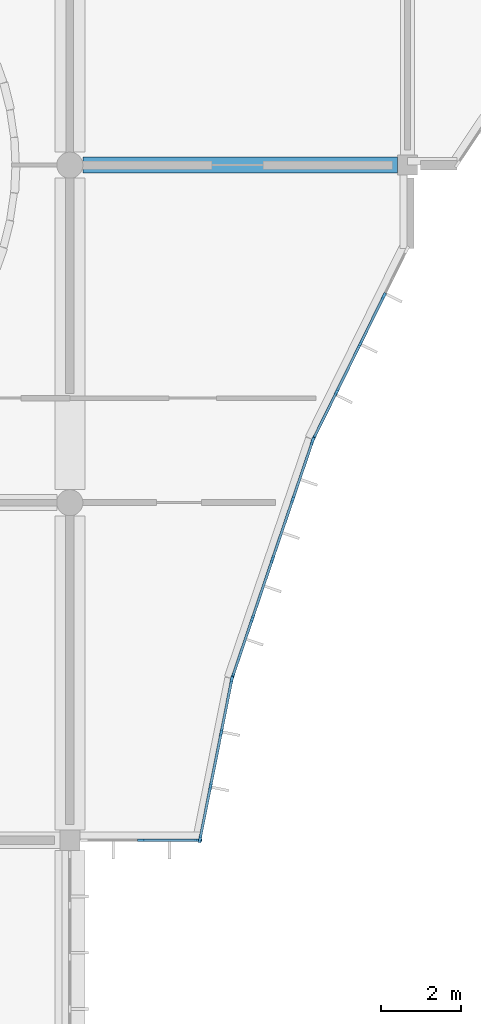
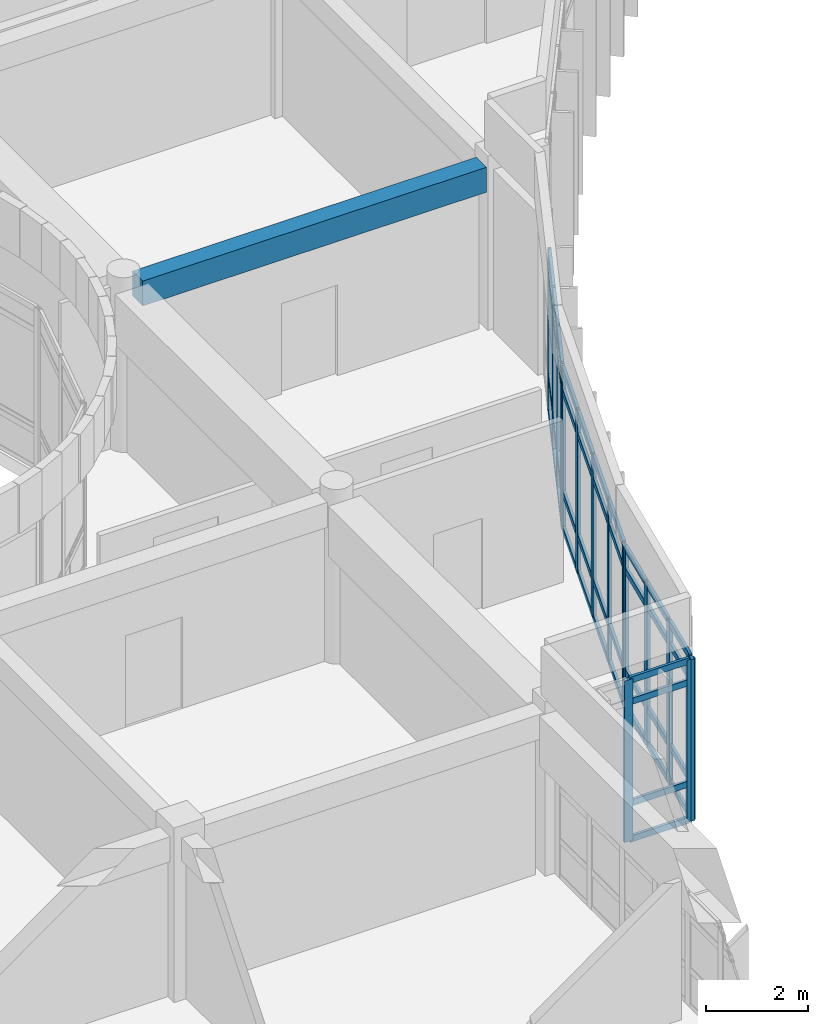
# One storey, part 48 of 119: 59 members, 1 beam, 4 elements without a shape of their own.
"""IFC4 building model written with IfcOpenShell, lengths in metres."""

from ifc_helpers import new_model, si_unit, direction, frame, origin, origin_2d, place, context, subcontext, project, spatial, rectangle, extrude, material, layer, layer_set, material_profile, profile_set, type_object, element, aggregate, save


model = new_model("IFC4")

# Units and contexts
model_context = context("Model", 3, precision=1e-05, world=origin(), true_north=direction((0.0, 1.0)))
body_context = subcontext(model_context, "Body", "Model", "MODEL_VIEW")
ifc_project = project(units=[si_unit("LENGTHUNIT", "METRE"), si_unit("AREAUNIT", "SQUARE_METRE"), si_unit("VOLUMEUNIT", "CUBIC_METRE"), si_unit("PLANEANGLEUNIT", "RADIAN"), si_unit("MASSUNIT", "GRAM", prefix="KILO")], contexts=[model_context])

# Site, building, storey
site_placement = place(None, origin())
site = spatial("IfcSite", under=ifc_project, at=site_placement, CompositionType="ELEMENT")
building_placement = place(site_placement, origin())
building = spatial("IfcBuilding", under=site, at=building_placement, Name="Bramfleet General Hospital", CompositionType="ELEMENT")
storey_placement = place(building_placement, frame((0.0, 0.0, 14.39990234375)))
storey = spatial("IfcBuildingStorey", under=building, at=storey_placement, Name="L03", CompositionType="ELEMENT", Elevation=14.39990234375)

# Beam
ifc_material_1 = material(Name="Concrete C35/45", Category="concrete")
ifc_material_profile_1 = material_profile(ifc_material_1, rectangle(XDim=0.39990234375, YDim=0.60009765625, at=origin_2d()), Name="RC BM 600x400")
ifc_profile_set_1 = profile_set([ifc_material_profile_1], Name="Concrete C35/45")
beam_type = type_object("IfcBeamType", Name="BM-RC600", PredefinedType="BEAM", material=ifc_profile_set_1)
beam_placement = place(storey_placement, frame((126.324951171875, 67.199951171875, 3.60009765625), z_axis=(1.0, 0.0, 0.0), x_axis=(0.0, 1.0, 0.0)))
element("IfcBeam", 1, at=beam_placement, inside=storey, type_object=beam_type, Name="L03 Grid Beam X 15-08", PredefinedType="BEAM", context=body_context, shape_type="SweptSolid", body=[
    extrude(rectangle(XDim=0.39990234375, YDim=0.60009765625, at=origin_2d()), origin(), (0.0, 0.0, 1.0), 7.824951171875),
])

# Curtain wall, members
ifc_material_2 = material(Name="Anodised aluminium and low-E triple glazing", Category="aluminium")
ifc_layer_1 = layer(ifc_material_2, 0.179931640625, Name="CWT-CW-14")
ifc_layer_set_1 = layer_set([ifc_layer_1], Name="Anodised aluminium and low-E triple glazing")
curtain_wall_type_1 = type_object("IfcCurtainWallType", Name="CWT-CW-14", PredefinedType="USERDEFINED", material=ifc_layer_set_1)
curtain_wall_1_placement = place(storey_placement, origin())
curtain_wall_1 = element("IfcCurtainWall", 2, at=curtain_wall_1_placement, inside=storey, type_object=curtain_wall_type_1, Name="L03 Curtain Wall 158", ObjectType="Stick curtain wall", PredefinedType="USERDEFINED")
ifc_material_3 = material(Name="Structural timber GL28h", Category="wood")
ifc_material_profile_2 = material_profile(ifc_material_3, rectangle(XDim=0.070068359375, YDim=0.18994140625, at=origin_2d()), Name="LARCH 190x70")
ifc_profile_set_2 = profile_set([ifc_material_profile_2], Name="Structural timber GL28h")
member_type_1 = type_object("IfcMemberType", Name="CWM-LARCH450", PredefinedType="MULLION", material=ifc_profile_set_2)
member_1_placement = place(storey_placement, frame((133.8134765625, 63.936767578125, 0.0), z_axis=(0.0, 0.0, 1.0), x_axis=(0.896864723513, -0.442304948782, 0.0)))
member_1 = element("IfcMember", 3, at=member_1_placement, type_object=member_type_1, Name="CW-14 mullion 2", PredefinedType="MULLION", context=body_context, shape_type="SweptSolid", body=[
    extrude(rectangle(XDim=0.070068359375, YDim=0.18994140625, at=origin_2d()), origin(), (0.0, 0.0, 1.0), 3.89013671875),
])
member_2_placement = place(storey_placement, frame((133.22705078125, 62.74755859375, 0.0), z_axis=(0.0, 0.0, 1.0), x_axis=(0.896864723513, -0.442304948782, 0.0)))
member_2 = element("IfcMember", 4, at=member_2_placement, type_object=member_type_1, Name="CW-14 mullion 3", PredefinedType="MULLION", context=body_context, shape_type="SweptSolid", body=[
    extrude(rectangle(XDim=0.070068359375, YDim=0.18994140625, at=origin_2d()), origin(), (0.0, 0.0, 1.0), 3.89013671875),
])
member_3_placement = place(storey_placement, frame((132.640380859375, 61.558349609375, 0.0), z_axis=(0.0, 0.0, 1.0), x_axis=(0.896864723513, -0.442304948782, 0.0)))
member_3 = element("IfcMember", 5, at=member_3_placement, type_object=member_type_1, Name="CW-14 mullion 4", PredefinedType="MULLION", context=body_context, shape_type="SweptSolid", body=[
    extrude(rectangle(XDim=0.070068359375, YDim=0.18994140625, at=origin_2d()), origin(), (0.0, 0.0, 1.0), 3.89013671875),
])
member_4_placement = place(storey_placement, frame((132.069580078125, 60.400390625, 0.0), z_axis=(0.0, 0.0, 1.0), x_axis=(0.896864723513, -0.442304948782, 0.0)))
member_4 = element("IfcMember", 6, at=member_4_placement, type_object=member_type_1, Name="CW-14 mullion 5", PredefinedType="MULLION", context=body_context, shape_type="SweptSolid", body=[
    extrude(rectangle(XDim=0.070068359375, YDim=0.18994140625, at=origin_2d()), origin(), (0.0, 0.0, 1.0), 3.89013671875),
])

ifc_layer_2 = layer(ifc_material_2, 0.179931640625, Name="CWT-CW-15")
ifc_layer_set_2 = layer_set([ifc_layer_2], Name="Anodised aluminium and low-E triple glazing")
curtain_wall_type_2 = type_object("IfcCurtainWallType", Name="CWT-CW-15", PredefinedType="USERDEFINED", material=ifc_layer_set_2)
curtain_wall_2_placement = place(storey_placement, origin())
curtain_wall_2 = element("IfcCurtainWall", 7, at=curtain_wall_2_placement, inside=storey, type_object=curtain_wall_type_2, Name="L03 Curtain Wall 159", ObjectType="Stick curtain wall", PredefinedType="USERDEFINED")
member_5_placement = place(storey_placement, frame((132.042724609375, 60.3359375, 0.0), z_axis=(0.0, 0.0, 1.0), x_axis=(0.946949276617, -0.321383054181, 0.0)))
member_5 = element("IfcMember", 8, at=member_5_placement, type_object=member_type_1, Name="CW-15 mullion 1", PredefinedType="MULLION", context=body_context, shape_type="SweptSolid", body=[
    extrude(rectangle(XDim=0.070068359375, YDim=0.18994140625, at=origin_2d()), origin(), (0.0, 0.0, 1.0), 3.89013671875),
])
member_6_placement = place(storey_placement, frame((131.549560546875, 58.882568359375, 0.0), z_axis=(0.0, 0.0, 1.0), x_axis=(0.946949276617, -0.321383054181, 0.0)))
member_6 = element("IfcMember", 9, at=member_6_placement, type_object=member_type_1, Name="CW-15 mullion 2", PredefinedType="MULLION", context=body_context, shape_type="SweptSolid", body=[
    extrude(rectangle(XDim=0.070068359375, YDim=0.18994140625, at=origin_2d()), origin(), (0.0, 0.0, 1.0), 3.89013671875),
])
member_7_placement = place(storey_placement, frame((131.044921875, 57.39599609375, 0.0), z_axis=(0.0, 0.0, 1.0), x_axis=(0.946949276617, -0.321383054181, 0.0)))
member_7 = element("IfcMember", 10, at=member_7_placement, type_object=member_type_1, Name="CW-15 mullion 3", PredefinedType="MULLION", context=body_context, shape_type="SweptSolid", body=[
    extrude(rectangle(XDim=0.070068359375, YDim=0.18994140625, at=origin_2d()), origin(), (0.0, 0.0, 1.0), 3.89013671875),
])
member_8_placement = place(storey_placement, frame((130.54052734375, 55.909423828125, 0.0), z_axis=(0.0, 0.0, 1.0), x_axis=(0.946949276617, -0.321383054181, 0.0)))
member_8 = element("IfcMember", 11, at=member_8_placement, type_object=member_type_1, Name="CW-15 mullion 4", PredefinedType="MULLION", context=body_context, shape_type="SweptSolid", body=[
    extrude(rectangle(XDim=0.070068359375, YDim=0.18994140625, at=origin_2d()), origin(), (0.0, 0.0, 1.0), 3.89013671875),
])
member_9_placement = place(storey_placement, frame((130.04736328125, 54.4560546875, 0.0), z_axis=(0.0, 0.0, 1.0), x_axis=(0.946949276617, -0.321383054181, 0.0)))
member_9 = element("IfcMember", 12, at=member_9_placement, type_object=member_type_1, Name="CW-15 mullion 5", PredefinedType="MULLION", context=body_context, shape_type="SweptSolid", body=[
    extrude(rectangle(XDim=0.070068359375, YDim=0.18994140625, at=origin_2d()), origin(), (0.0, 0.0, 1.0), 3.89013671875),
])

ifc_layer_3 = layer(ifc_material_2, 0.179931640625, Name="CWT-CW-16")
ifc_layer_set_3 = layer_set([ifc_layer_3], Name="Anodised aluminium and low-E triple glazing")
curtain_wall_type_3 = type_object("IfcCurtainWallType", Name="CWT-CW-16", PredefinedType="USERDEFINED", material=ifc_layer_set_3)
curtain_wall_3_placement = place(storey_placement, origin())
curtain_wall_3 = element("IfcCurtainWall", 13, at=curtain_wall_3_placement, inside=storey, type_object=curtain_wall_type_3, Name="L03 Curtain Wall 160", ObjectType="Stick curtain wall", PredefinedType="USERDEFINED")
member_10_placement = place(storey_placement, frame((130.029052734375, 54.388671875, 0.0), z_axis=(0.0, 0.0, 1.0), x_axis=(0.980749087161, -0.195272189606, 0.0)))
member_10 = element("IfcMember", 14, at=member_10_placement, type_object=member_type_1, Name="CW-16 mullion 1", PredefinedType="MULLION", context=body_context, shape_type="SweptSolid", body=[
    extrude(rectangle(XDim=0.070068359375, YDim=0.18994140625, at=origin_2d()), origin(), (0.0, 0.0, 1.0), 3.89013671875),
])
member_11_placement = place(storey_placement, frame((129.76904296875, 53.08203125, 0.0), z_axis=(0.0, 0.0, 1.0), x_axis=(0.980749087161, -0.195272189606, 0.0)))
member_11 = element("IfcMember", 15, at=member_11_placement, type_object=member_type_1, Name="CW-16 mullion 2", PredefinedType="MULLION", context=body_context, shape_type="SweptSolid", body=[
    extrude(rectangle(XDim=0.070068359375, YDim=0.18994140625, at=origin_2d()), origin(), (0.0, 0.0, 1.0), 3.89013671875),
])
member_12_placement = place(storey_placement, frame((129.501953125, 51.740966796875, 0.0), z_axis=(0.0, 0.0, 1.0), x_axis=(0.980749087161, -0.195272189606, 0.0)))
member_12 = element("IfcMember", 16, at=member_12_placement, type_object=member_type_1, Name="CW-16 mullion 3", PredefinedType="MULLION", context=body_context, shape_type="SweptSolid", body=[
    extrude(rectangle(XDim=0.070068359375, YDim=0.18994140625, at=origin_2d()), origin(), (0.0, 0.0, 1.0), 3.89013671875),
])
member_13_placement = place(storey_placement, frame((129.241943359375, 50.434326171875, 0.0), z_axis=(0.0, 0.0, 1.0), x_axis=(0.980749087161, -0.195272189606, 0.0)))
member_13 = element("IfcMember", 17, at=member_13_placement, type_object=member_type_1, Name="CW-16 mullion 4", PredefinedType="MULLION", context=body_context, shape_type="SweptSolid", body=[
    extrude(rectangle(XDim=0.070068359375, YDim=0.18994140625, at=origin_2d()), origin(), (0.0, 0.0, 1.0), 3.89013671875),
])

ifc_layer_4 = layer(ifc_material_2, 0.179931640625, Name="CWT-CW-17")
ifc_layer_set_4 = layer_set([ifc_layer_4], Name="Anodised aluminium and low-E triple glazing")
curtain_wall_type_4 = type_object("IfcCurtainWallType", Name="CWT-CW-17", PredefinedType="USERDEFINED", material=ifc_layer_set_4)
curtain_wall_4_placement = place(storey_placement, origin())
curtain_wall_4 = element("IfcCurtainWall", 18, at=curtain_wall_4_placement, inside=storey, type_object=curtain_wall_type_4, Name="L03 Curtain Wall 161", ObjectType="Stick curtain wall", PredefinedType="USERDEFINED")
member_14_placement = place(storey_placement, frame((129.199951171875, 50.39990234375, 0.0), z_axis=(0.0, 0.0, 1.0), x_axis=(0.0, -1.0, 0.0)))
member_14 = element("IfcMember", 19, at=member_14_placement, type_object=member_type_1, Name="CW-17 mullion 1", PredefinedType="MULLION", context=body_context, shape_type="SweptSolid", body=[
    extrude(rectangle(XDim=0.070068359375, YDim=0.18994140625, at=origin_2d()), origin(), (0.0, 0.0, 1.0), 3.89013671875),
])
member_15_placement = place(storey_placement, frame((127.780029296875, 50.39990234375, 0.0), z_axis=(0.0, 0.0, 1.0), x_axis=(0.0, -1.0, 0.0)))
member_15 = element("IfcMember", 20, at=member_15_placement, type_object=member_type_1, Name="CW-17 mullion 2", PredefinedType="MULLION", context=body_context, shape_type="SweptSolid", body=[
    extrude(rectangle(XDim=0.070068359375, YDim=0.18994140625, at=origin_2d()), origin(), (0.0, 0.0, 1.0), 3.89013671875),
])

# Member
ifc_material_profile_3 = material_profile(ifc_material_3, rectangle(XDim=0.06494140625, YDim=0.14990234375, at=origin_2d()), Name="LARCH 150x65")
ifc_profile_set_3 = profile_set([ifc_material_profile_3], Name="Structural timber GL28h")
member_type_2 = type_object("IfcMemberType", Name="CWT-LARCH220", PredefinedType="USERDEFINED", material=ifc_profile_set_3)
member_16_placement = place(storey_placement, frame((133.798095703125, 63.9052734375, 0.03271484375), z_axis=(-0.44238671825, -0.896824392797, 0.0), x_axis=(0.896824392797, -0.44238671825, 0.0)))
member_16 = element("IfcMember", 21, at=member_16_placement, type_object=member_type_2, Name="CW-14 transom 2.1", ObjectType="TRANSOM", PredefinedType="USERDEFINED", context=body_context, shape_type="SweptSolid", body=[
    extrude(rectangle(XDim=0.06494140625, YDim=0.14990234375, at=origin_2d()), origin(), (0.0, 0.0, 1.0), 1.256103515625),
])

member_17_placement = place(storey_placement, frame((133.798095703125, 63.9052734375, 0.900146484375), z_axis=(-0.44238671825, -0.896824392797, 0.0), x_axis=(0.896824392797, -0.44238671825, 0.0)))
member_17 = element("IfcMember", 22, at=member_17_placement, type_object=member_type_2, Name="CW-14 transom 2.2", ObjectType="TRANSOM", PredefinedType="USERDEFINED", context=body_context, shape_type="SweptSolid", body=[
    extrude(rectangle(XDim=0.06494140625, YDim=0.14990234375, at=origin_2d()), origin(), (0.0, 0.0, 1.0), 1.256103515625),
])

member_18_placement = place(storey_placement, frame((133.798095703125, 63.9052734375, 3.340087890625), z_axis=(-0.44238671825, -0.896824392797, 0.0), x_axis=(0.896824392797, -0.44238671825, 0.0)))
member_18 = element("IfcMember", 23, at=member_18_placement, type_object=member_type_2, Name="CW-14 transom 2.3", ObjectType="TRANSOM", PredefinedType="USERDEFINED", context=body_context, shape_type="SweptSolid", body=[
    extrude(rectangle(XDim=0.06494140625, YDim=0.14990234375, at=origin_2d()), origin(), (0.0, 0.0, 1.0), 1.256103515625),
])

member_19_placement = place(storey_placement, frame((133.798095703125, 63.9052734375, 3.857666015625), z_axis=(-0.44238671825, -0.896824392797, 0.0), x_axis=(0.896824392797, -0.44238671825, 0.0)))
member_19 = element("IfcMember", 24, at=member_19_placement, type_object=member_type_2, Name="CW-14 transom 2.4", ObjectType="TRANSOM", PredefinedType="USERDEFINED", context=body_context, shape_type="SweptSolid", body=[
    extrude(rectangle(XDim=0.06494140625, YDim=0.14990234375, at=origin_2d()), origin(), (0.0, 0.0, 1.0), 1.256103515625),
])

member_20_placement = place(storey_placement, frame((133.21142578125, 62.716064453125, 0.03271484375), z_axis=(-0.442230367252, -0.89690150088, 0.0), x_axis=(0.89690150088, -0.442230367252, 0.0)))
member_20 = element("IfcMember", 25, at=member_20_placement, type_object=member_type_2, Name="CW-14 transom 3.1", ObjectType="TRANSOM", PredefinedType="USERDEFINED", context=body_context, shape_type="SweptSolid", body=[
    extrude(rectangle(XDim=0.06494140625, YDim=0.14990234375, at=origin_2d()), origin(), (0.0, 0.0, 1.0), 1.255859375),
])

member_21_placement = place(storey_placement, frame((133.21142578125, 62.716064453125, 0.900146484375), z_axis=(-0.442230367252, -0.89690150088, 0.0), x_axis=(0.89690150088, -0.442230367252, 0.0)))
member_21 = element("IfcMember", 26, at=member_21_placement, type_object=member_type_2, Name="CW-14 transom 3.2", ObjectType="TRANSOM", PredefinedType="USERDEFINED", context=body_context, shape_type="SweptSolid", body=[
    extrude(rectangle(XDim=0.06494140625, YDim=0.14990234375, at=origin_2d()), origin(), (0.0, 0.0, 1.0), 1.255859375),
])

member_22_placement = place(storey_placement, frame((133.21142578125, 62.716064453125, 3.340087890625), z_axis=(-0.442230367252, -0.89690150088, 0.0), x_axis=(0.89690150088, -0.442230367252, 0.0)))
member_22 = element("IfcMember", 27, at=member_22_placement, type_object=member_type_2, Name="CW-14 transom 3.3", ObjectType="TRANSOM", PredefinedType="USERDEFINED", context=body_context, shape_type="SweptSolid", body=[
    extrude(rectangle(XDim=0.06494140625, YDim=0.14990234375, at=origin_2d()), origin(), (0.0, 0.0, 1.0), 1.255859375),
])

member_23_placement = place(storey_placement, frame((133.21142578125, 62.716064453125, 3.857666015625), z_axis=(-0.442230367252, -0.89690150088, 0.0), x_axis=(0.89690150088, -0.442230367252, 0.0)))
member_23 = element("IfcMember", 28, at=member_23_placement, type_object=member_type_2, Name="CW-14 transom 3.4", ObjectType="TRANSOM", PredefinedType="USERDEFINED", context=body_context, shape_type="SweptSolid", body=[
    extrude(rectangle(XDim=0.06494140625, YDim=0.14990234375, at=origin_2d()), origin(), (0.0, 0.0, 1.0), 1.255859375),
])

member_24_placement = place(storey_placement, frame((132.625, 61.52685546875, 0.03271484375), z_axis=(-0.442327738397, -0.896853484046, 0.0), x_axis=(0.896853484046, -0.442327738397, 0.0)))
member_24 = element("IfcMember", 29, at=member_24_placement, type_object=member_type_2, Name="CW-14 transom 4.1", ObjectType="TRANSOM", PredefinedType="USERDEFINED", context=body_context, shape_type="SweptSolid", body=[
    extrude(rectangle(XDim=0.06494140625, YDim=0.14990234375, at=origin_2d()), origin(), (0.0, 0.0, 1.0), 1.220947265625),
])

member_25_placement = place(storey_placement, frame((132.625, 61.52685546875, 0.900146484375), z_axis=(-0.442327738397, -0.896853484046, 0.0), x_axis=(0.896853484046, -0.442327738397, 0.0)))
member_25 = element("IfcMember", 30, at=member_25_placement, type_object=member_type_2, Name="CW-14 transom 4.2", ObjectType="TRANSOM", PredefinedType="USERDEFINED", context=body_context, shape_type="SweptSolid", body=[
    extrude(rectangle(XDim=0.06494140625, YDim=0.14990234375, at=origin_2d()), origin(), (0.0, 0.0, 1.0), 1.220947265625),
])

member_26_placement = place(storey_placement, frame((132.625, 61.52685546875, 3.340087890625), z_axis=(-0.442327738397, -0.896853484046, 0.0), x_axis=(0.896853484046, -0.442327738397, 0.0)))
member_26 = element("IfcMember", 31, at=member_26_placement, type_object=member_type_2, Name="CW-14 transom 4.3", ObjectType="TRANSOM", PredefinedType="USERDEFINED", context=body_context, shape_type="SweptSolid", body=[
    extrude(rectangle(XDim=0.06494140625, YDim=0.14990234375, at=origin_2d()), origin(), (0.0, 0.0, 1.0), 1.220947265625),
])

member_27_placement = place(storey_placement, frame((132.625, 61.52685546875, 3.857666015625), z_axis=(-0.442327738397, -0.896853484046, 0.0), x_axis=(0.896853484046, -0.442327738397, 0.0)))
member_27 = element("IfcMember", 32, at=member_27_placement, type_object=member_type_2, Name="CW-14 transom 4.4", ObjectType="TRANSOM", PredefinedType="USERDEFINED", context=body_context, shape_type="SweptSolid", body=[
    extrude(rectangle(XDim=0.06494140625, YDim=0.14990234375, at=origin_2d()), origin(), (0.0, 0.0, 1.0), 1.220947265625),
])

aggregate(curtain_wall_1, [member_1, member_2, member_3, member_4, member_16, member_17, member_18, member_19, member_20, member_21, member_22, member_23, member_24, member_25, member_26, member_27])

member_28_placement = place(storey_placement, frame((132.031494140625, 60.302734375, 0.03271484375), z_axis=(-0.32132303331, -0.946969644848, 0.0), x_axis=(0.946969644848, -0.32132303331, 0.0)))
member_28 = element("IfcMember", 33, at=member_28_placement, type_object=member_type_2, Name="CW-15 transom 1.1", ObjectType="TRANSOM", PredefinedType="USERDEFINED", context=body_context, shape_type="SweptSolid", body=[
    extrude(rectangle(XDim=0.06494140625, YDim=0.14990234375, at=origin_2d()), origin(), (0.0, 0.0, 1.0), 1.46484375),
])

member_29_placement = place(storey_placement, frame((132.031494140625, 60.302734375, 0.900146484375), z_axis=(-0.32132303331, -0.946969644848, 0.0), x_axis=(0.946969644848, -0.32132303331, 0.0)))
member_29 = element("IfcMember", 34, at=member_29_placement, type_object=member_type_2, Name="CW-15 transom 1.2", ObjectType="TRANSOM", PredefinedType="USERDEFINED", context=body_context, shape_type="SweptSolid", body=[
    extrude(rectangle(XDim=0.06494140625, YDim=0.14990234375, at=origin_2d()), origin(), (0.0, 0.0, 1.0), 1.46484375),
])

member_30_placement = place(storey_placement, frame((132.031494140625, 60.302734375, 3.340087890625), z_axis=(-0.32132303331, -0.946969644848, 0.0), x_axis=(0.946969644848, -0.32132303331, 0.0)))
member_30 = element("IfcMember", 35, at=member_30_placement, type_object=member_type_2, Name="CW-15 transom 1.3", ObjectType="TRANSOM", PredefinedType="USERDEFINED", context=body_context, shape_type="SweptSolid", body=[
    extrude(rectangle(XDim=0.06494140625, YDim=0.14990234375, at=origin_2d()), origin(), (0.0, 0.0, 1.0), 1.46484375),
])

member_31_placement = place(storey_placement, frame((132.031494140625, 60.302734375, 3.857666015625), z_axis=(-0.32132303331, -0.946969644848, 0.0), x_axis=(0.946969644848, -0.32132303331, 0.0)))
member_31 = element("IfcMember", 36, at=member_31_placement, type_object=member_type_2, Name="CW-15 transom 1.4", ObjectType="TRANSOM", PredefinedType="USERDEFINED", context=body_context, shape_type="SweptSolid", body=[
    extrude(rectangle(XDim=0.06494140625, YDim=0.14990234375, at=origin_2d()), origin(), (0.0, 0.0, 1.0), 1.46484375),
])

member_32_placement = place(storey_placement, frame((131.538330078125, 58.849365234375, 0.03271484375), z_axis=(-0.32149705863, -0.946910577242, 0.0), x_axis=(0.946910577242, -0.32149705863, 0.0)))
member_32 = element("IfcMember", 37, at=member_32_placement, type_object=member_type_2, Name="CW-15 transom 2.1", ObjectType="TRANSOM", PredefinedType="USERDEFINED", context=body_context, shape_type="SweptSolid", body=[
    extrude(rectangle(XDim=0.06494140625, YDim=0.14990234375, at=origin_2d()), origin(), (0.0, 0.0, 1.0), 1.499755859375),
])

member_33_placement = place(storey_placement, frame((131.538330078125, 58.849365234375, 0.900146484375), z_axis=(-0.32149705863, -0.946910577242, 0.0), x_axis=(0.946910577242, -0.32149705863, 0.0)))
member_33 = element("IfcMember", 38, at=member_33_placement, type_object=member_type_2, Name="CW-15 transom 2.2", ObjectType="TRANSOM", PredefinedType="USERDEFINED", context=body_context, shape_type="SweptSolid", body=[
    extrude(rectangle(XDim=0.06494140625, YDim=0.14990234375, at=origin_2d()), origin(), (0.0, 0.0, 1.0), 1.499755859375),
])

member_34_placement = place(storey_placement, frame((131.538330078125, 58.849365234375, 3.340087890625), z_axis=(-0.32149705863, -0.946910577242, 0.0), x_axis=(0.946910577242, -0.32149705863, 0.0)))
member_34 = element("IfcMember", 39, at=member_34_placement, type_object=member_type_2, Name="CW-15 transom 2.3", ObjectType="TRANSOM", PredefinedType="USERDEFINED", context=body_context, shape_type="SweptSolid", body=[
    extrude(rectangle(XDim=0.06494140625, YDim=0.14990234375, at=origin_2d()), origin(), (0.0, 0.0, 1.0), 1.499755859375),
])

member_35_placement = place(storey_placement, frame((131.538330078125, 58.849365234375, 3.857666015625), z_axis=(-0.32149705863, -0.946910577242, 0.0), x_axis=(0.946910577242, -0.32149705863, 0.0)))
member_35 = element("IfcMember", 40, at=member_35_placement, type_object=member_type_2, Name="CW-15 transom 2.4", ObjectType="TRANSOM", PredefinedType="USERDEFINED", context=body_context, shape_type="SweptSolid", body=[
    extrude(rectangle(XDim=0.06494140625, YDim=0.14990234375, at=origin_2d()), origin(), (0.0, 0.0, 1.0), 1.499755859375),
])

member_36_placement = place(storey_placement, frame((131.03369140625, 57.36279296875, 0.03271484375), z_axis=(-0.321351089195, -0.946960124542, 0.0), x_axis=(0.946960124542, -0.321351089195, 0.0)))
member_36 = element("IfcMember", 41, at=member_36_placement, type_object=member_type_2, Name="CW-15 transom 3.1", ObjectType="TRANSOM", PredefinedType="USERDEFINED", context=body_context, shape_type="SweptSolid", body=[
    extrude(rectangle(XDim=0.06494140625, YDim=0.14990234375, at=origin_2d()), origin(), (0.0, 0.0, 1.0), 1.499755859375),
])

member_37_placement = place(storey_placement, frame((131.03369140625, 57.36279296875, 0.900146484375), z_axis=(-0.321351089195, -0.946960124542, 0.0), x_axis=(0.946960124542, -0.321351089195, 0.0)))
member_37 = element("IfcMember", 42, at=member_37_placement, type_object=member_type_2, Name="CW-15 transom 3.2", ObjectType="TRANSOM", PredefinedType="USERDEFINED", context=body_context, shape_type="SweptSolid", body=[
    extrude(rectangle(XDim=0.06494140625, YDim=0.14990234375, at=origin_2d()), origin(), (0.0, 0.0, 1.0), 1.499755859375),
])

member_38_placement = place(storey_placement, frame((131.03369140625, 57.36279296875, 3.340087890625), z_axis=(-0.321351089195, -0.946960124542, 0.0), x_axis=(0.946960124542, -0.321351089195, 0.0)))
member_38 = element("IfcMember", 43, at=member_38_placement, type_object=member_type_2, Name="CW-15 transom 3.3", ObjectType="TRANSOM", PredefinedType="USERDEFINED", context=body_context, shape_type="SweptSolid", body=[
    extrude(rectangle(XDim=0.06494140625, YDim=0.14990234375, at=origin_2d()), origin(), (0.0, 0.0, 1.0), 1.499755859375),
])

member_39_placement = place(storey_placement, frame((131.03369140625, 57.36279296875, 3.857666015625), z_axis=(-0.321351089195, -0.946960124542, 0.0), x_axis=(0.946960124542, -0.321351089195, 0.0)))
member_39 = element("IfcMember", 44, at=member_39_placement, type_object=member_type_2, Name="CW-15 transom 3.4", ObjectType="TRANSOM", PredefinedType="USERDEFINED", context=body_context, shape_type="SweptSolid", body=[
    extrude(rectangle(XDim=0.06494140625, YDim=0.14990234375, at=origin_2d()), origin(), (0.0, 0.0, 1.0), 1.499755859375),
])

member_40_placement = place(storey_placement, frame((130.529296875, 55.87646484375, 0.03271484375), z_axis=(-0.32132303331, -0.946969644848, 0.0), x_axis=(0.946969644848, -0.32132303331, 0.0)))
member_40 = element("IfcMember", 45, at=member_40_placement, type_object=member_type_2, Name="CW-15 transom 4.1", ObjectType="TRANSOM", PredefinedType="USERDEFINED", context=body_context, shape_type="SweptSolid", body=[
    extrude(rectangle(XDim=0.06494140625, YDim=0.14990234375, at=origin_2d()), origin(), (0.0, 0.0, 1.0), 1.46484375),
])

member_41_placement = place(storey_placement, frame((130.529296875, 55.87646484375, 0.900146484375), z_axis=(-0.32132303331, -0.946969644848, 0.0), x_axis=(0.946969644848, -0.32132303331, 0.0)))
member_41 = element("IfcMember", 46, at=member_41_placement, type_object=member_type_2, Name="CW-15 transom 4.2", ObjectType="TRANSOM", PredefinedType="USERDEFINED", context=body_context, shape_type="SweptSolid", body=[
    extrude(rectangle(XDim=0.06494140625, YDim=0.14990234375, at=origin_2d()), origin(), (0.0, 0.0, 1.0), 1.46484375),
])

member_42_placement = place(storey_placement, frame((130.529296875, 55.87646484375, 3.340087890625), z_axis=(-0.32132303331, -0.946969644848, 0.0), x_axis=(0.946969644848, -0.32132303331, 0.0)))
member_42 = element("IfcMember", 47, at=member_42_placement, type_object=member_type_2, Name="CW-15 transom 4.3", ObjectType="TRANSOM", PredefinedType="USERDEFINED", context=body_context, shape_type="SweptSolid", body=[
    extrude(rectangle(XDim=0.06494140625, YDim=0.14990234375, at=origin_2d()), origin(), (0.0, 0.0, 1.0), 1.46484375),
])

member_43_placement = place(storey_placement, frame((130.529296875, 55.87646484375, 3.857666015625), z_axis=(-0.32132303331, -0.946969644848, 0.0), x_axis=(0.946969644848, -0.32132303331, 0.0)))
member_43 = element("IfcMember", 48, at=member_43_placement, type_object=member_type_2, Name="CW-15 transom 4.4", ObjectType="TRANSOM", PredefinedType="USERDEFINED", context=body_context, shape_type="SweptSolid", body=[
    extrude(rectangle(XDim=0.06494140625, YDim=0.14990234375, at=origin_2d()), origin(), (0.0, 0.0, 1.0), 1.46484375),
])

aggregate(curtain_wall_2, [member_5, member_6, member_7, member_8, member_9, member_28, member_29, member_30, member_31, member_32, member_33, member_34, member_35, member_36, member_37, member_38, member_39, member_40, member_41, member_42, member_43])

member_44_placement = place(storey_placement, frame((130.022216796875, 54.354248046875, 0.03271484375), z_axis=(-0.195148998153, -0.980773607169, 0.0), x_axis=(0.980773607169, -0.195148998153, 0.0)))
member_44 = element("IfcMember", 49, at=member_44_placement, type_object=member_type_2, Name="CW-16 transom 1.1", ObjectType="TRANSOM", PredefinedType="USERDEFINED", context=body_context, shape_type="SweptSolid", body=[
    extrude(rectangle(XDim=0.06494140625, YDim=0.14990234375, at=origin_2d()), origin(), (0.0, 0.0, 1.0), 1.26220703125),
])

member_45_placement = place(storey_placement, frame((130.022216796875, 54.354248046875, 0.900146484375), z_axis=(-0.195148998153, -0.980773607169, 0.0), x_axis=(0.980773607169, -0.195148998153, 0.0)))
member_45 = element("IfcMember", 50, at=member_45_placement, type_object=member_type_2, Name="CW-16 transom 1.2", ObjectType="TRANSOM", PredefinedType="USERDEFINED", context=body_context, shape_type="SweptSolid", body=[
    extrude(rectangle(XDim=0.06494140625, YDim=0.14990234375, at=origin_2d()), origin(), (0.0, 0.0, 1.0), 1.26220703125),
])

member_46_placement = place(storey_placement, frame((130.022216796875, 54.354248046875, 3.340087890625), z_axis=(-0.195148998153, -0.980773607169, 0.0), x_axis=(0.980773607169, -0.195148998153, 0.0)))
member_46 = element("IfcMember", 51, at=member_46_placement, type_object=member_type_2, Name="CW-16 transom 1.3", ObjectType="TRANSOM", PredefinedType="USERDEFINED", context=body_context, shape_type="SweptSolid", body=[
    extrude(rectangle(XDim=0.06494140625, YDim=0.14990234375, at=origin_2d()), origin(), (0.0, 0.0, 1.0), 1.26220703125),
])

member_47_placement = place(storey_placement, frame((130.022216796875, 54.354248046875, 3.857666015625), z_axis=(-0.195148998153, -0.980773607169, 0.0), x_axis=(0.980773607169, -0.195148998153, 0.0)))
member_47 = element("IfcMember", 52, at=member_47_placement, type_object=member_type_2, Name="CW-16 transom 1.4", ObjectType="TRANSOM", PredefinedType="USERDEFINED", context=body_context, shape_type="SweptSolid", body=[
    extrude(rectangle(XDim=0.06494140625, YDim=0.14990234375, at=origin_2d()), origin(), (0.0, 0.0, 1.0), 1.26220703125),
])

member_48_placement = place(storey_placement, frame((129.76220703125, 53.047607421875, 0.03271484375), z_axis=(-0.195356020565, -0.98073239226, 0.0), x_axis=(0.98073239226, -0.195356020565, 0.0)))
member_48 = element("IfcMember", 53, at=member_48_placement, type_object=member_type_2, Name="CW-16 transom 2.1", ObjectType="TRANSOM", PredefinedType="USERDEFINED", context=body_context, shape_type="SweptSolid", body=[
    extrude(rectangle(XDim=0.06494140625, YDim=0.14990234375, at=origin_2d()), origin(), (0.0, 0.0, 1.0), 1.297119140625),
])

member_49_placement = place(storey_placement, frame((129.76220703125, 53.047607421875, 0.900146484375), z_axis=(-0.195356020565, -0.98073239226, 0.0), x_axis=(0.98073239226, -0.195356020565, 0.0)))
member_49 = element("IfcMember", 54, at=member_49_placement, type_object=member_type_2, Name="CW-16 transom 2.2", ObjectType="TRANSOM", PredefinedType="USERDEFINED", context=body_context, shape_type="SweptSolid", body=[
    extrude(rectangle(XDim=0.06494140625, YDim=0.14990234375, at=origin_2d()), origin(), (0.0, 0.0, 1.0), 1.297119140625),
])

member_50_placement = place(storey_placement, frame((129.76220703125, 53.047607421875, 3.340087890625), z_axis=(-0.195356020565, -0.98073239226, 0.0), x_axis=(0.98073239226, -0.195356020565, 0.0)))
member_50 = element("IfcMember", 55, at=member_50_placement, type_object=member_type_2, Name="CW-16 transom 2.3", ObjectType="TRANSOM", PredefinedType="USERDEFINED", context=body_context, shape_type="SweptSolid", body=[
    extrude(rectangle(XDim=0.06494140625, YDim=0.14990234375, at=origin_2d()), origin(), (0.0, 0.0, 1.0), 1.297119140625),
])

member_51_placement = place(storey_placement, frame((129.76220703125, 53.047607421875, 3.857666015625), z_axis=(-0.195356020565, -0.98073239226, 0.0), x_axis=(0.98073239226, -0.195356020565, 0.0)))
member_51 = element("IfcMember", 56, at=member_51_placement, type_object=member_type_2, Name="CW-16 transom 2.4", ObjectType="TRANSOM", PredefinedType="USERDEFINED", context=body_context, shape_type="SweptSolid", body=[
    extrude(rectangle(XDim=0.06494140625, YDim=0.14990234375, at=origin_2d()), origin(), (0.0, 0.0, 1.0), 1.297119140625),
])

member_52_placement = place(storey_placement, frame((129.4951171875, 51.706787109375, 0.03271484375), z_axis=(-0.195148998153, -0.980773607169, 0.0), x_axis=(0.980773607169, -0.195148998153, 0.0)))
member_52 = element("IfcMember", 57, at=member_52_placement, type_object=member_type_2, Name="CW-16 transom 3.1", ObjectType="TRANSOM", PredefinedType="USERDEFINED", context=body_context, shape_type="SweptSolid", body=[
    extrude(rectangle(XDim=0.06494140625, YDim=0.14990234375, at=origin_2d()), origin(), (0.0, 0.0, 1.0), 1.26220703125),
])

member_53_placement = place(storey_placement, frame((129.4951171875, 51.706787109375, 0.900146484375), z_axis=(-0.195148998153, -0.980773607169, 0.0), x_axis=(0.980773607169, -0.195148998153, 0.0)))
member_53 = element("IfcMember", 58, at=member_53_placement, type_object=member_type_2, Name="CW-16 transom 3.2", ObjectType="TRANSOM", PredefinedType="USERDEFINED", context=body_context, shape_type="SweptSolid", body=[
    extrude(rectangle(XDim=0.06494140625, YDim=0.14990234375, at=origin_2d()), origin(), (0.0, 0.0, 1.0), 1.26220703125),
])

member_54_placement = place(storey_placement, frame((129.4951171875, 51.706787109375, 3.340087890625), z_axis=(-0.195148998153, -0.980773607169, 0.0), x_axis=(0.980773607169, -0.195148998153, 0.0)))
member_54 = element("IfcMember", 59, at=member_54_placement, type_object=member_type_2, Name="CW-16 transom 3.3", ObjectType="TRANSOM", PredefinedType="USERDEFINED", context=body_context, shape_type="SweptSolid", body=[
    extrude(rectangle(XDim=0.06494140625, YDim=0.14990234375, at=origin_2d()), origin(), (0.0, 0.0, 1.0), 1.26220703125),
])

member_55_placement = place(storey_placement, frame((129.4951171875, 51.706787109375, 3.857666015625), z_axis=(-0.195148998153, -0.980773607169, 0.0), x_axis=(0.980773607169, -0.195148998153, 0.0)))
member_55 = element("IfcMember", 60, at=member_55_placement, type_object=member_type_2, Name="CW-16 transom 3.4", ObjectType="TRANSOM", PredefinedType="USERDEFINED", context=body_context, shape_type="SweptSolid", body=[
    extrude(rectangle(XDim=0.06494140625, YDim=0.14990234375, at=origin_2d()), origin(), (0.0, 0.0, 1.0), 1.26220703125),
])

aggregate(curtain_wall_3, [member_10, member_11, member_12, member_13, member_44, member_45, member_46, member_47, member_48, member_49, member_50, member_51, member_52, member_53, member_54, member_55])

member_56_placement = place(storey_placement, frame((129.1650390625, 50.39990234375, 0.03271484375), z_axis=(-1.0, 0.0, 0.0), x_axis=(0.0, -1.0, 0.0)))
member_56 = element("IfcMember", 61, at=member_56_placement, type_object=member_type_2, Name="CW-17 transom 1.1", ObjectType="TRANSOM", PredefinedType="USERDEFINED", context=body_context, shape_type="SweptSolid", body=[
    extrude(rectangle(XDim=0.06494140625, YDim=0.14990234375, at=origin_2d()), origin(), (0.0, 0.0, 1.0), 1.35009765625),
])

member_57_placement = place(storey_placement, frame((129.1650390625, 50.39990234375, 0.900146484375), z_axis=(-1.0, 0.0, 0.0), x_axis=(0.0, -1.0, 0.0)))
member_57 = element("IfcMember", 62, at=member_57_placement, type_object=member_type_2, Name="CW-17 transom 1.2", ObjectType="TRANSOM", PredefinedType="USERDEFINED", context=body_context, shape_type="SweptSolid", body=[
    extrude(rectangle(XDim=0.06494140625, YDim=0.14990234375, at=origin_2d()), origin(), (0.0, 0.0, 1.0), 1.35009765625),
])

member_58_placement = place(storey_placement, frame((129.1650390625, 50.39990234375, 3.340087890625), z_axis=(-1.0, 0.0, 0.0), x_axis=(0.0, -1.0, 0.0)))
member_58 = element("IfcMember", 63, at=member_58_placement, type_object=member_type_2, Name="CW-17 transom 1.3", ObjectType="TRANSOM", PredefinedType="USERDEFINED", context=body_context, shape_type="SweptSolid", body=[
    extrude(rectangle(XDim=0.06494140625, YDim=0.14990234375, at=origin_2d()), origin(), (0.0, 0.0, 1.0), 1.35009765625),
])

member_59_placement = place(storey_placement, frame((129.1650390625, 50.39990234375, 3.857666015625), z_axis=(-1.0, 0.0, 0.0), x_axis=(0.0, -1.0, 0.0)))
member_59 = element("IfcMember", 64, at=member_59_placement, type_object=member_type_2, Name="CW-17 transom 1.4", ObjectType="TRANSOM", PredefinedType="USERDEFINED", context=body_context, shape_type="SweptSolid", body=[
    extrude(rectangle(XDim=0.06494140625, YDim=0.14990234375, at=origin_2d()), origin(), (0.0, 0.0, 1.0), 1.35009765625),
])

aggregate(curtain_wall_4, [member_14, member_15, member_56, member_57, member_58, member_59])

save(model, "model.ifc")
